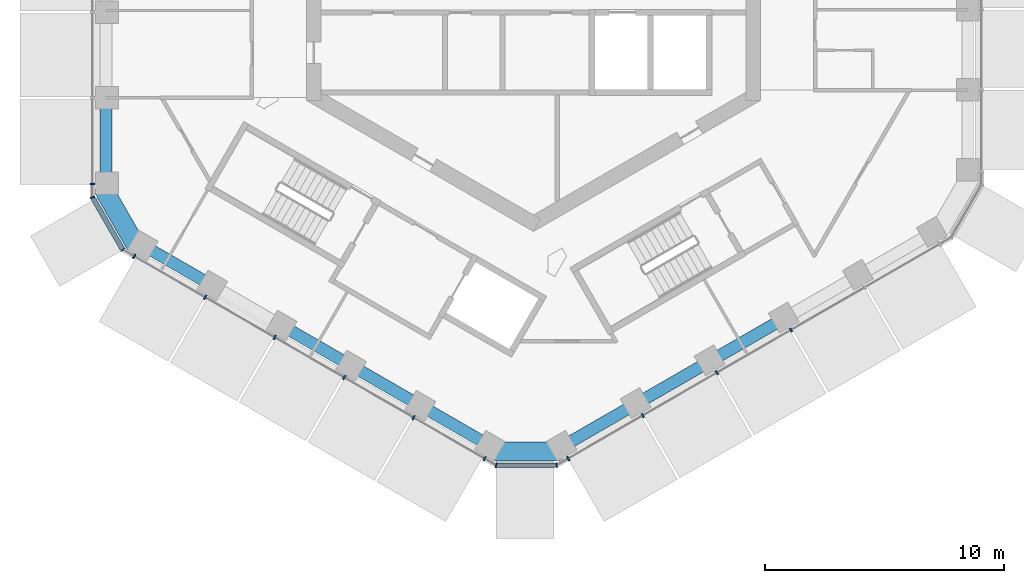
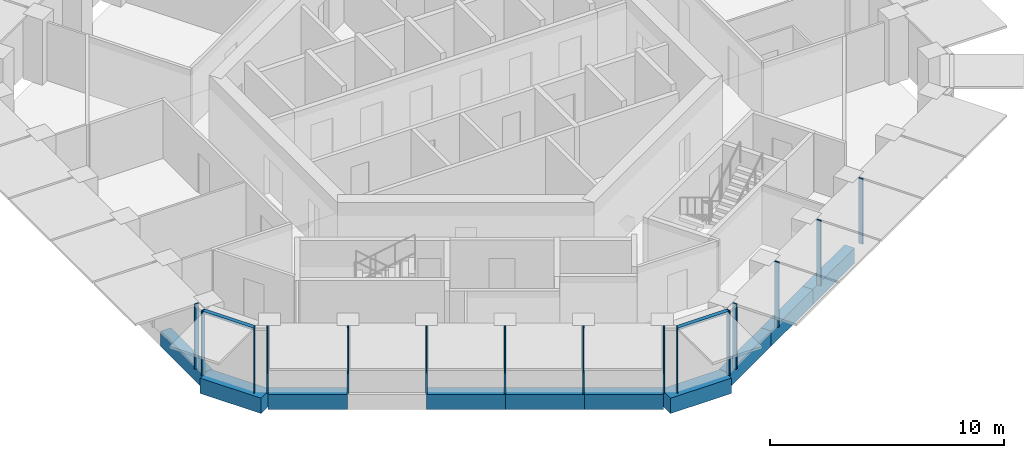
# One storey, part 2 of 18: 17 members, 10 beams, 5 elements without a shape of their own.
"""IFC4 building model written with IfcOpenShell, lengths in metres."""

import ifcopenshell
import ifcopenshell.guid

model = None  # the IFC model being written
_history = None  # IfcOwnerHistory: only IFC2X3 demands one
_inside = {}  # id of a spatial element -> (the spatial element, [elements in it])
_under = {}  # id of a project, library or spatial element -> (it, [spatial elements below it])
_declared = {}  # id of a project -> (the project, [libraries it declares])
_typed = {}  # id of a type object -> (the type object, [elements of that type])
_made_of = {}  # id of a material, layer set ... -> (it, [elements and type objects made of it])


def new_model(schema):
    """Start an empty IFC model of exactly this schema.

    Asked for "IFC4X3", IfcOpenShell would pick the latest addendum, in which some entities
    have other attributes; the version numbers below select the first issue.
    IFC2X3 requires an IfcOwnerHistory on every rooted entity: one is made here for all.
    """
    global model, _history
    if schema == "IFC4X3":
        model = ifcopenshell.file(schema_version=(4, 3, 0, 0))
    else:
        model = ifcopenshell.file(schema=schema)
    _inside.clear()
    _under.clear()
    _declared.clear()
    _typed.clear()
    _made_of.clear()
    _history = None
    if model.schema == "IFC2X3":
        org = make("IfcOrganization", Name="unknown")
        user = make(
            "IfcPersonAndOrganization",
            ThePerson=make("IfcPerson", FamilyName="unknown"),
            TheOrganization=org,
        )
        app = make(
            "IfcApplication",
            ApplicationDeveloper=org,
            Version="unknown",
            ApplicationFullName="unknown",
            ApplicationIdentifier="unknown",
        )
        _history = make(
            "IfcOwnerHistory",
            OwningUser=user,
            OwningApplication=app,
            ChangeAction="ADDED",
            CreationDate=0,
        )
    return model


def make(cls, **values):
    """One entity of the class cls with the attributes given. An attribute that is None is left unset."""
    return model.create_entity(
        cls, **{name: value for name, value in values.items() if value is not None}
    )


def rooted(cls, **values):
    """An entity with a GlobalId (a new one), such as an element, a storey or a relation."""
    return make(cls, GlobalId=ifcopenshell.guid.new(), OwnerHistory=_history, **values)


def si_unit(unit_type, name, prefix=None):
    """IfcSIUnit, for example si_unit("LENGTHUNIT", "METRE", prefix="MILLI")."""
    return make("IfcSIUnit", UnitType=unit_type, Prefix=prefix, Name=name)


def assignment(units):
    """IfcUnitAssignment: the units of a project."""
    return None if units is None else make("IfcUnitAssignment", Units=units)


def point(xyz):
    """IfcCartesianPoint."""
    return None if xyz is None else make("IfcCartesianPoint", Coordinates=xyz)


def direction(xyz):
    """IfcDirection."""
    return None if xyz is None else make("IfcDirection", DirectionRatios=xyz)


def frame(location, z_axis=None, x_axis=None):
    """IfcAxis2Placement3D, a coordinate frame: its origin and axes. An axis left out is left unset."""
    return make(
        "IfcAxis2Placement3D",
        Location=point(location),
        Axis=direction(z_axis),
        RefDirection=direction(x_axis),
    )


def frame_2d(location, x_axis=None):
    """IfcAxis2Placement2D, a coordinate frame in the plane: its origin and x axis."""
    return make(
        "IfcAxis2Placement2D", Location=point(location), RefDirection=direction(x_axis)
    )


def origin():
    """The frame at (0, 0, 0) with its axes left unset."""
    return frame((0.0, 0.0, 0.0))


def origin_2d():
    """The frame at (0, 0) in the plane with its x axis left unset."""
    return frame_2d((0.0, 0.0))


def place(relative_to, where):
    """IfcLocalPlacement: puts the frame where relative to a parent placement (None: the world)."""
    return make(
        "IfcLocalPlacement", PlacementRelTo=relative_to, RelativePlacement=where
    )


def context(
    kind, dimensions, precision=None, world=None, true_north=None, identifier=None
):
    """IfcGeometricRepresentationContext, for example the 3D "Model" context."""
    return make(
        "IfcGeometricRepresentationContext",
        ContextIdentifier=identifier,
        ContextType=kind,
        CoordinateSpaceDimension=dimensions,
        Precision=precision,
        WorldCoordinateSystem=world,
        TrueNorth=true_north,
    )


def subcontext(parent, identifier, kind, view, scale=None):
    """IfcGeometricRepresentationSubContext, for example "Body" below "Model"."""
    return make(
        "IfcGeometricRepresentationSubContext",
        ContextIdentifier=identifier,
        ContextType=kind,
        ParentContext=parent,
        TargetScale=scale,
        TargetView=view,
    )


def project(units=None, contexts=None):
    """IfcProject with its units and contexts."""
    return rooted(
        "IfcProject",
        Name="project",
        RepresentationContexts=contexts,
        UnitsInContext=assignment(units),
    )


def spatial(cls, under=None, at=None, **own):
    """A site, building, storey or space (cls), placed at a placement, below another one or the project."""
    s = rooted(cls, ObjectPlacement=at, **own)
    if under is not None:
        _under.setdefault(under.id(), (under, []))[1].append(s)
    return s


def profile(cls, at=None, kind="AREA", **sizes):
    """A parametric profile (cls). Its sizes go by their IFC names, for example OverallWidth=200.0."""
    return make(cls, ProfileType=kind, Position=at, **sizes)


def rectangle(**sizes):
    """IfcRectangleProfileDef."""
    return profile("IfcRectangleProfileDef", **sizes)


def extrude(swept, where, along, depth):
    """IfcExtrudedAreaSolid: the profile swept, set in the frame where, extruded along a direction by depth."""
    return make(
        "IfcExtrudedAreaSolid",
        SweptArea=swept,
        Position=where,
        ExtrudedDirection=direction(along),
        Depth=depth,
    )


def shape(context_of_items, identifier, shape_type, items):
    """IfcShapeRepresentation: the items that make up one representation, for example the "Body"."""
    return make(
        "IfcShapeRepresentation",
        ContextOfItems=context_of_items,
        RepresentationIdentifier=identifier,
        RepresentationType=shape_type,
        Items=items,
    )


def material(Name=None, Category=None):
    """IfcMaterial."""
    return make("IfcMaterial", Name=Name, Category=Category)


def layer(
    of_material, thickness, ventilated=None, Name=None, Category=None, Priority=None
):
    """IfcMaterialLayer: one layer of a wall or slab, of a material (None: an air gap)."""
    return make(
        "IfcMaterialLayer",
        Material=of_material,
        LayerThickness=thickness,
        IsVentilated=ventilated,
        Name=Name,
        Category=Category,
        Priority=Priority,
    )


def layer_set(layers, Name=None):
    """IfcMaterialLayerSet."""
    return make("IfcMaterialLayerSet", MaterialLayers=layers, LayerSetName=Name)


def material_profile(
    of_material, cross_section, Name=None, Category=None, Priority=None
):
    """IfcMaterialProfile: a cross section and its material."""
    return make(
        "IfcMaterialProfile",
        Name=Name,
        Material=of_material,
        Profile=cross_section,
        Priority=Priority,
        Category=Category,
    )


def profile_set(profiles, Name=None, composite=None):
    """IfcMaterialProfileSet."""
    return make(
        "IfcMaterialProfileSet",
        Name=Name,
        MaterialProfiles=profiles,
        CompositeProfile=composite,
    )


def made_of(thing, what):
    """Note that an element or type object is made of a material, layer set ...; save() writes the relation."""
    if what is not None:
        _made_of.setdefault(what.id(), (what, []))[1].append(thing)
    return thing


def type_object(cls, material=None, **own):
    """A type object (cls), such as IfcWallType, which elements share."""
    return made_of(rooted(cls, **own), material)


def element(
    cls,
    number,
    at=None,
    inside=None,
    cuts=None,
    type_object=None,
    material=None,
    context=None,
    identifier="Body",
    shape_type=None,
    held_by="IfcProductDefinitionShape",
    body=None,
    shapes=None,
    **own,
):
    """One element of the class cls, such as IfcWall. Its Tag is "e" and its number.

    at: its placement. inside: the storey or other place that contains it. cuts: it is an
    opening in that element (IfcRelVoidsElement). A single representation is given by context,
    identifier, shape_type and body (its items); several are given by shapes. held_by: the class
    of the entity that holds the representations. save() writes the other relations.
    """
    e = rooted(cls, Tag="e%d" % number, ObjectPlacement=at, **own)
    if body is not None:
        shapes = [shape(context, identifier, shape_type, body)]
    if shapes is not None:
        e.Representation = make(held_by, Representations=shapes)
    if inside is not None:
        _inside.setdefault(inside.id(), (inside, []))[1].append(e)
    if cuts is not None:
        rooted(
            "IfcRelVoidsElement", RelatingBuildingElement=cuts, RelatedOpeningElement=e
        )
    if type_object is not None:
        _typed.setdefault(type_object.id(), (type_object, []))[1].append(e)
    return made_of(e, material)


def aggregate(whole, parts):
    """IfcRelAggregates: a whole, such as a stair, and the parts it consists of."""
    return rooted("IfcRelAggregates", RelatingObject=whole, RelatedObjects=parts)


def save(model, path):
    """Write the relations noted so far, then the file.

    IfcRelAggregates (storeys below a building ...), IfcRelContainedInSpatialStructure (elements
    in a storey), IfcRelDefinesByType, IfcRelAssociatesMaterial and IfcRelDeclares: one each for
    every whole, place, type object, material and project.
    """
    for whole, parts in _under.values():
        aggregate(whole, parts)
    for where, things in _inside.values():
        rooted(
            "IfcRelContainedInSpatialStructure",
            RelatedElements=things,
            RelatingStructure=where,
        )
    for kind, things in _typed.values():
        rooted("IfcRelDefinesByType", RelatedObjects=things, RelatingType=kind)
    for what, things in _made_of.values():
        rooted("IfcRelAssociatesMaterial", RelatedObjects=things, RelatingMaterial=what)
    for by, libraries in _declared.values():
        rooted("IfcRelDeclares", RelatingContext=by, RelatedDefinitions=libraries)
    model.write(path)


model = new_model("IFC4")

# Units and contexts
model_context = context("Model", 3, precision=1e-05, world=origin(), true_north=direction((0.0, 1.0)))
body_context = subcontext(model_context, "Body", "Model", "MODEL_VIEW")
ifc_project = project(units=[si_unit("LENGTHUNIT", "METRE"), si_unit("AREAUNIT", "SQUARE_METRE"), si_unit("VOLUMEUNIT", "CUBIC_METRE"), si_unit("PLANEANGLEUNIT", "RADIAN"), si_unit("MASSUNIT", "GRAM", prefix="KILO")], contexts=[model_context])

# Site, building, storey
site_placement = place(None, origin())
site = spatial("IfcSite", under=ifc_project, at=site_placement, CompositionType="ELEMENT")
building_placement = place(site_placement, origin())
building = spatial("IfcBuilding", under=site, at=building_placement, Name="Ayvan Gate Tower", CompositionType="ELEMENT")
storey_placement = place(building_placement, frame((0.0, 0.0, 169.699951171875)))
storey = spatial("IfcBuildingStorey", under=building, at=storey_placement, Name="L45", CompositionType="ELEMENT", Elevation=169.699951171875)

# Beams
ifc_material_1 = material(Name="Concrete C40/50", Category="concrete")
ifc_material_profile_1 = material_profile(ifc_material_1, rectangle(XDim=0.800048828125, YDim=0.800048828125, at=origin_2d()), Name="RC 800x800")
ifc_profile_set_1 = profile_set([ifc_material_profile_1], Name="Concrete C40/50")
beam_type_1 = type_object("IfcBeamType", Name="Corner spandrel beam RC 800x800 C40/50", PredefinedType="BEAM", material=ifc_profile_set_1)
for number, where, z_axis, x_axis, name in (
    (1, (-18.093505859375, -9.041748046875, -0.75), (0.499990139034, -0.866031096941, 0.0), (0.866031096941, 0.499990139034, 0.0), "SB-L45-24"),
    (2, (-1.78369140625, -20.190185546875, -0.75), (1.0, 0.0, 0.0), (0.0, 1.0, 0.0), "SB-L45-30"),
):
    element("IfcBeam", number, at=place(storey_placement, frame(where, z_axis=z_axis, x_axis=x_axis)), inside=storey, type_object=beam_type_1, Name=name, PredefinedType="BEAM", context=body_context, shape_type="SweptSolid", body=[
        extrude(rectangle(XDim=0.800048828125, YDim=0.800048828125, at=origin_2d()), origin(), (0.0, 0.0, 1.0), 3.0),
    ])
ifc_material_profile_2 = material_profile(ifc_material_1, rectangle(XDim=0.5, YDim=0.800048828125, at=origin_2d()), Name="RC 500x800")
ifc_profile_set_2 = profile_set([ifc_material_profile_2], Name="Concrete C40/50")
beam_type_2 = type_object("IfcBeamType", Name="Spandrel beam RC 500x800 C40/50", PredefinedType="BEAM", material=ifc_profile_set_2)
beam_1_placement = place(storey_placement, frame((-17.90283203125, -5.359130859375, -0.75), z_axis=(0.0, -1.0, 0.0), x_axis=(1.0, 0.0, 0.0)))
element("IfcBeam", 3, at=beam_1_placement, inside=storey, type_object=beam_type_2, Name="SB-L45-23", PredefinedType="BEAM", context=body_context, shape_type="SweptSolid", body=[
    extrude(rectangle(XDim=0.5, YDim=0.800048828125, at=origin_2d()), origin(), (0.0, 0.0, 1.0), 3.572509765625),
])
for number, where, z_axis, x_axis, name in (
    (4, (-16.40283203125, -11.52978515625, -0.75), (0.86603626368, -0.499981189637, 0.0), (0.499981189637, 0.86603626368, 0.0), "SB-L45-25"),
    (5, (-10.55517578125, -14.906005859375, -0.75), (0.86603626368, -0.499981189637, 0.0), (0.499981189637, 0.86603626368, 0.0), "SB-L45-27"),
    (6, (-7.63134765625, -16.593994140625, -0.75), (0.866004950882, -0.500035423793, 0.0), (0.500035423793, 0.866004950882, 0.0), "SB-L45-28"),
    (7, (-4.70751953125, -18.2822265625, -0.75), (0.86603626368, -0.499981189637, 0.0), (0.499981189637, 0.86603626368, 0.0), "SB-L45-29"),
):
    element("IfcBeam", number, at=place(storey_placement, frame(where, z_axis=z_axis, x_axis=x_axis)), inside=storey, type_object=beam_type_2, Name=name, PredefinedType="BEAM", context=body_context, shape_type="SweptSolid", body=[
        extrude(rectangle(XDim=0.5, YDim=0.800048828125, at=origin_2d()), origin(), (0.0, 0.0, 1.0), 3.376220703125),
    ])
beam_2_placement = place(storey_placement, frame((1.21630859375, -19.97021484375, -0.75), z_axis=(0.866018300902, 0.500012302351, 0.0), x_axis=(-0.500012302351, 0.866018300902, 0.0)))
element("IfcBeam", 8, at=beam_2_placement, inside=storey, type_object=beam_type_2, Name="SB-L45-31", PredefinedType="BEAM", context=body_context, shape_type="SweptSolid", body=[
    extrude(rectangle(XDim=0.5, YDim=0.800048828125, at=origin_2d()), origin(), (0.0, 0.0, 1.0), 3.57275390625),
])
beam_3_placement = place(storey_placement, frame((4.310302734375, -18.183837890625, -0.75), z_axis=(0.866035384151, 0.4999827131, 0.0), x_axis=(-0.4999827131, 0.866035384151, 0.0)))
element("IfcBeam", 9, at=beam_3_placement, inside=storey, type_object=beam_type_2, Name="SB-L45-32", PredefinedType="BEAM", context=body_context, shape_type="SweptSolid", body=[
    extrude(rectangle(XDim=0.5, YDim=0.800048828125, at=origin_2d()), origin(), (0.0, 0.0, 1.0), 3.572998046875),
])
beam_4_placement = place(storey_placement, frame((7.404541015625, -16.3974609375, -0.75), z_axis=(0.866018300902, 0.500012302351, 0.0), x_axis=(-0.500012302351, 0.866018300902, 0.0)))
element("IfcBeam", 10, at=beam_4_placement, inside=storey, type_object=beam_type_2, Name="SB-L45-33", PredefinedType="BEAM", context=body_context, shape_type="SweptSolid", body=[
    extrude(rectangle(XDim=0.5, YDim=0.800048828125, at=origin_2d()), origin(), (0.0, 0.0, 1.0), 3.57275390625),
])

# Curtain wall, member
ifc_material_2 = material(Name="Bronze anodised aluminium", Category="aluminium")
ifc_layer_1 = layer(ifc_material_2, 0.199951171875)
ifc_layer_set_1 = layer_set([ifc_layer_1], Name="Bronze anodised aluminium")
curtain_wall_type_1 = type_object("IfcCurtainWallType", Name="Stick curtain wall CW-2", PredefinedType="NOTDEFINED", material=ifc_layer_set_1)
curtain_wall_1_placement = place(storey_placement, origin())
curtain_wall_1 = element("IfcCurtainWall", 11, at=curtain_wall_1_placement, inside=storey, type_object=curtain_wall_type_1, Name="Stick curtain wall CW-2 L45", PredefinedType="NOTDEFINED")
ifc_material_profile_3 = material_profile(ifc_material_2, rectangle(XDim=0.199951171875, YDim=0.070068359375, at=origin_2d()), Name="Stick curtain wall CW-2 mullion 200 x 70")
ifc_profile_set_3 = profile_set([ifc_material_profile_3], Name="Bronze anodised aluminium")
member_type_1 = type_object("IfcMemberType", Name="Stick curtain wall CW-2 mullion 200 x 70", PredefinedType="MULLION", material=ifc_profile_set_3)
member_1_placement = place(storey_placement, frame((-18.46484375, -8.97998046875, 0.0), z_axis=(0.0, 0.0, 1.0), x_axis=(-1.0, 0.0, 0.0)))
member_1 = element("IfcMember", 12, at=member_1_placement, type_object=member_type_1, Name="CW-2 mullion 6", PredefinedType="MULLION", context=body_context, shape_type="SweptSolid", body=[
    extrude(rectangle(XDim=0.199951171875, YDim=0.070068359375, at=origin_2d()), origin(), (0.0, 0.0, 1.0), 3.400146484375),
])
aggregate(curtain_wall_1, [member_1])

# Curtain wall, members
curtain_wall_2_placement = place(storey_placement, origin())
curtain_wall_2 = element("IfcCurtainWall", 13, at=curtain_wall_2_placement, inside=storey, type_object=curtain_wall_type_1, Name="Stick curtain wall CW-2 L45", PredefinedType="NOTDEFINED")
member_2_placement = place(storey_placement, frame((-16.712646484375, -12.014892578125, 0.0), z_axis=(0.0, 0.0, 1.0), x_axis=(-0.5, -0.866025403784, 0.0)))
member_2 = element("IfcMember", 14, at=member_2_placement, type_object=member_type_1, Name="CW-2 mullion 1", PredefinedType="MULLION", context=body_context, shape_type="SweptSolid", body=[
    extrude(rectangle(XDim=0.199951171875, YDim=0.070068359375, at=origin_2d()), origin(), (0.0, 0.0, 1.0), 3.400146484375),
])
member_3_placement = place(storey_placement, frame((-13.7412109375, -13.73046875, 0.0), z_axis=(0.0, 0.0, 1.0), x_axis=(-0.5, -0.866025403784, 0.0)))
member_3 = element("IfcMember", 15, at=member_3_placement, type_object=member_type_1, Name="CW-2 mullion 2", PredefinedType="MULLION", context=body_context, shape_type="SweptSolid", body=[
    extrude(rectangle(XDim=0.199951171875, YDim=0.070068359375, at=origin_2d()), origin(), (0.0, 0.0, 1.0), 3.400146484375),
])
member_4_placement = place(storey_placement, frame((-10.833984375, -15.408935546875, 0.0), z_axis=(0.0, 0.0, 1.0), x_axis=(-0.5, -0.866025403784, 0.0)))
member_4 = element("IfcMember", 16, at=member_4_placement, type_object=member_type_1, Name="CW-2 mullion 3", PredefinedType="MULLION", context=body_context, shape_type="SweptSolid", body=[
    extrude(rectangle(XDim=0.199951171875, YDim=0.070068359375, at=origin_2d()), origin(), (0.0, 0.0, 1.0), 3.400146484375),
])
member_5_placement = place(storey_placement, frame((-7.927490234375, -17.0869140625, 0.0), z_axis=(0.0, 0.0, 1.0), x_axis=(-0.5, -0.866025403784, 0.0)))
member_5 = element("IfcMember", 17, at=member_5_placement, type_object=member_type_1, Name="CW-2 mullion 4", PredefinedType="MULLION", context=body_context, shape_type="SweptSolid", body=[
    extrude(rectangle(XDim=0.199951171875, YDim=0.070068359375, at=origin_2d()), origin(), (0.0, 0.0, 1.0), 3.400146484375),
])
member_6_placement = place(storey_placement, frame((-5.020263671875, -18.765380859375, 0.0), z_axis=(0.0, 0.0, 1.0), x_axis=(-0.5, -0.866025403784, 0.0)))
member_6 = element("IfcMember", 18, at=member_6_placement, type_object=member_type_1, Name="CW-2 mullion 5", PredefinedType="MULLION", context=body_context, shape_type="SweptSolid", body=[
    extrude(rectangle(XDim=0.199951171875, YDim=0.070068359375, at=origin_2d()), origin(), (0.0, 0.0, 1.0), 3.400146484375),
])
member_7_placement = place(storey_placement, frame((-2.049072265625, -20.48095703125, 0.0), z_axis=(0.0, 0.0, 1.0), x_axis=(-0.5, -0.866025403784, 0.0)))
member_7 = element("IfcMember", 19, at=member_7_placement, type_object=member_type_1, Name="CW-2 mullion 6", PredefinedType="MULLION", context=body_context, shape_type="SweptSolid", body=[
    extrude(rectangle(XDim=0.199951171875, YDim=0.070068359375, at=origin_2d()), origin(), (0.0, 0.0, 1.0), 3.400146484375),
])
aggregate(curtain_wall_2, [member_2, member_3, member_4, member_5, member_6, member_7])

curtain_wall_3_placement = place(storey_placement, origin())
curtain_wall_3 = element("IfcCurtainWall", 20, at=curtain_wall_3_placement, inside=storey, type_object=curtain_wall_type_1, Name="Stick curtain wall CW-2 L45", PredefinedType="NOTDEFINED")
member_8_placement = place(storey_placement, frame((1.45556640625, -20.48095703125, 0.0), z_axis=(0.0, 0.0, 1.0), x_axis=(0.5, -0.866025403784, 0.0)))
member_8 = element("IfcMember", 21, at=member_8_placement, type_object=member_type_1, Name="CW-2 mullion 1", PredefinedType="MULLION", context=body_context, shape_type="SweptSolid", body=[
    extrude(rectangle(XDim=0.199951171875, YDim=0.070068359375, at=origin_2d()), origin(), (0.0, 0.0, 1.0), 3.400146484375),
])
member_9_placement = place(storey_placement, frame((4.578369140625, -18.677978515625, 0.0), z_axis=(0.0, 0.0, 1.0), x_axis=(0.5, -0.866025403784, 0.0)))
member_9 = element("IfcMember", 22, at=member_9_placement, type_object=member_type_1, Name="CW-2 mullion 2", PredefinedType="MULLION", context=body_context, shape_type="SweptSolid", body=[
    extrude(rectangle(XDim=0.199951171875, YDim=0.070068359375, at=origin_2d()), origin(), (0.0, 0.0, 1.0), 3.400146484375),
])
member_10_placement = place(storey_placement, frame((7.681396484375, -16.886474609375, 0.0), z_axis=(0.0, 0.0, 1.0), x_axis=(0.5, -0.866025403784, 0.0)))
member_10 = element("IfcMember", 23, at=member_10_placement, type_object=member_type_1, Name="CW-2 mullion 3", PredefinedType="MULLION", context=body_context, shape_type="SweptSolid", body=[
    extrude(rectangle(XDim=0.199951171875, YDim=0.070068359375, at=origin_2d()), origin(), (0.0, 0.0, 1.0), 3.400146484375),
])
member_11_placement = place(storey_placement, frame((10.783447265625, -15.095458984375, 0.0), z_axis=(0.0, 0.0, 1.0), x_axis=(0.5, -0.866025403784, 0.0)))
member_11 = element("IfcMember", 24, at=member_11_placement, type_object=member_type_1, Name="CW-2 mullion 4", PredefinedType="MULLION", context=body_context, shape_type="SweptSolid", body=[
    extrude(rectangle(XDim=0.199951171875, YDim=0.070068359375, at=origin_2d()), origin(), (0.0, 0.0, 1.0), 3.400146484375),
])
aggregate(curtain_wall_3, [member_8, member_9, member_10, member_11])

ifc_layer_2 = layer(ifc_material_2, 0.199951171875)
ifc_layer_set_2 = layer_set([ifc_layer_2], Name="Bronze anodised aluminium")
curtain_wall_type_2 = type_object("IfcCurtainWallType", Name="Stick curtain wall CW-6", PredefinedType="NOTDEFINED", material=ifc_layer_set_2)
curtain_wall_4_placement = place(storey_placement, origin())
curtain_wall_4 = element("IfcCurtainWall", 25, at=curtain_wall_4_placement, inside=storey, type_object=curtain_wall_type_2, Name="Stick curtain wall CW-6 L45", PredefinedType="NOTDEFINED")
ifc_material_profile_4 = material_profile(ifc_material_2, rectangle(XDim=0.199951171875, YDim=0.050048828125, at=origin_2d()), Name="Stick curtain wall CW-6 mullion 200 x 50")
ifc_profile_set_4 = profile_set([ifc_material_profile_4], Name="Bronze anodised aluminium")
member_type_2 = type_object("IfcMemberType", Name="Stick curtain wall CW-6 mullion 200 x 50", PredefinedType="MULLION", material=ifc_profile_set_4)
member_12_placement = place(storey_placement, frame((-18.46484375, -9.5400390625, 0.0), z_axis=(0.0, 0.0, 1.0), x_axis=(-0.965925826289, -0.258819045103, 0.0)))
member_12 = element("IfcMember", 26, at=member_12_placement, type_object=member_type_2, Name="CW-6 mullion 2", PredefinedType="MULLION", context=body_context, shape_type="SweptSolid", body=[
    extrude(rectangle(XDim=0.199951171875, YDim=0.050048828125, at=origin_2d()), origin(), (0.0, 0.0, 1.0), 3.400146484375),
])
member_13_placement = place(storey_placement, frame((-17.197509765625, -11.73486328125, 0.0), z_axis=(0.0, 0.0, 1.0), x_axis=(-0.707106781187, -0.707106781187, 0.0)))
member_13 = element("IfcMember", 27, at=member_13_placement, type_object=member_type_2, Name="CW-6 mullion 3", PredefinedType="MULLION", context=body_context, shape_type="SweptSolid", body=[
    extrude(rectangle(XDim=0.199951171875, YDim=0.050048828125, at=origin_2d()), origin(), (0.0, 0.0, 1.0), 3.400146484375),
])

curtain_wall_5_placement = place(storey_placement, origin())
curtain_wall_5 = element("IfcCurtainWall", 28, at=curtain_wall_5_placement, inside=storey, type_object=curtain_wall_type_2, Name="Stick curtain wall CW-6 L45", PredefinedType="NOTDEFINED")
member_14_placement = place(storey_placement, frame((-1.56396484375, -20.760986328125, 0.0), z_axis=(0.0, 0.0, 1.0), x_axis=(-0.258819045103, -0.965925826289, 0.0)))
member_14 = element("IfcMember", 29, at=member_14_placement, type_object=member_type_2, Name="CW-6 mullion 2", PredefinedType="MULLION", context=body_context, shape_type="SweptSolid", body=[
    extrude(rectangle(XDim=0.199951171875, YDim=0.050048828125, at=origin_2d()), origin(), (0.0, 0.0, 1.0), 3.400146484375),
])
member_15_placement = place(storey_placement, frame((0.970458984375, -20.760986328125, 0.0), z_axis=(0.0, 0.0, 1.0), x_axis=(0.258819045103, -0.965925826289, 0.0)))
member_15 = element("IfcMember", 30, at=member_15_placement, type_object=member_type_2, Name="CW-6 mullion 3", PredefinedType="MULLION", context=body_context, shape_type="SweptSolid", body=[
    extrude(rectangle(XDim=0.199951171875, YDim=0.050048828125, at=origin_2d()), origin(), (0.0, 0.0, 1.0), 3.400146484375),
])

# Member
ifc_material_profile_5 = material_profile(ifc_material_2, rectangle(XDim=0.199951171875, YDim=0.1201171875, at=origin_2d()), Name="Stick curtain wall CW-6 transom 200 x 120")
ifc_profile_set_5 = profile_set([ifc_material_profile_5], Name="Bronze anodised aluminium")
member_type_3 = type_object("IfcMemberType", Name="Stick curtain wall CW-6 transom 200 x 120", PredefinedType="USERDEFINED", material=ifc_profile_set_5)
member_16_placement = place(storey_placement, frame((-18.452392578125, -9.5615234375, 3.340087890625), z_axis=(0.50001729717, -0.866015417028, 0.0), x_axis=(0.866015417028, 0.50001729717, 0.0)))
member_16 = element("IfcMember", 31, at=member_16_placement, type_object=member_type_3, Name="CW-6 transom 2", ObjectType="TRANSOM", PredefinedType="USERDEFINED", context=body_context, shape_type="SweptSolid", body=[
    extrude(rectangle(XDim=0.199951171875, YDim=0.1201171875, at=origin_2d()), origin(), (0.0, 0.0, 1.0), 2.48486328125),
])

aggregate(curtain_wall_4, [member_12, member_13, member_16])

member_17_placement = place(storey_placement, frame((-1.5390625, -20.760986328125, 3.340087890625), z_axis=(1.0, 0.0, 0.0), x_axis=(0.0, 1.0, 0.0)))
member_17 = element("IfcMember", 32, at=member_17_placement, type_object=member_type_3, Name="CW-6 transom 2", ObjectType="TRANSOM", PredefinedType="USERDEFINED", context=body_context, shape_type="SweptSolid", body=[
    extrude(rectangle(XDim=0.199951171875, YDim=0.1201171875, at=origin_2d()), origin(), (0.0, 0.0, 1.0), 2.484619140625),
])

aggregate(curtain_wall_5, [member_14, member_15, member_17])

save(model, "model.ifc")
